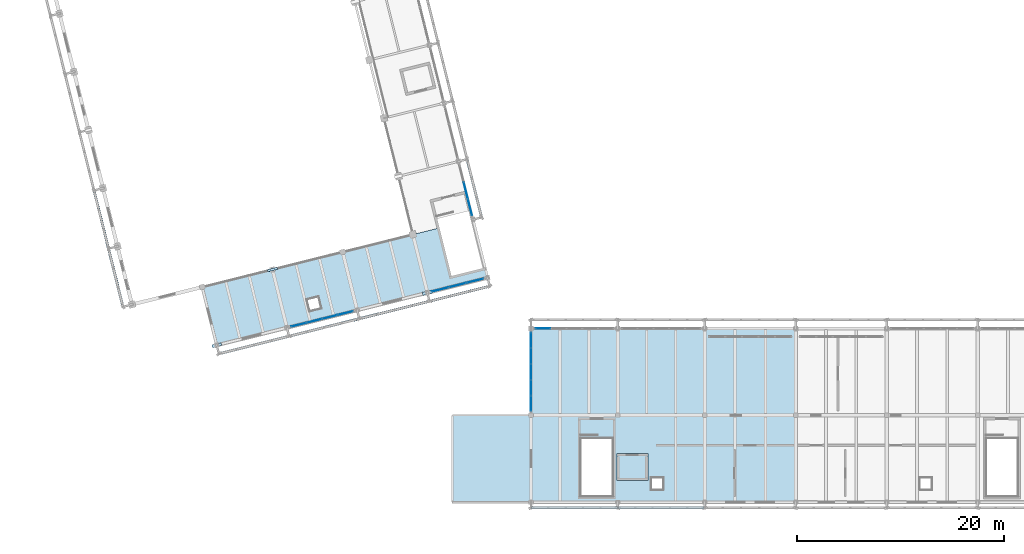
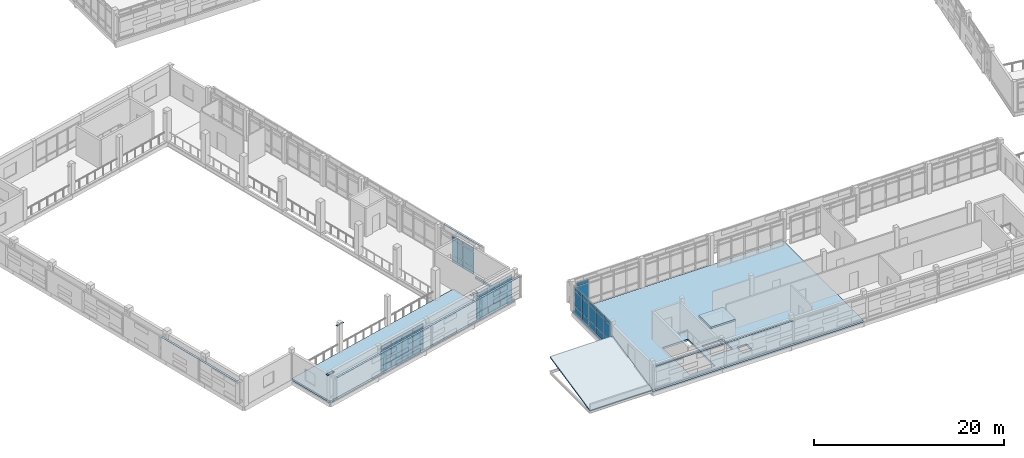
# One storey, part 82 of 117: 57 plates, 4 slabs, 5 elements without a shape of their own.
"""IFC4 building model written with IfcOpenShell, lengths in metres."""

from ifc_helpers import new_model, si_unit, direction, frame, origin, origin_2d, place, context, subcontext, project, spatial, polyline, rectangle, outline, extrude, material, layer, layer_set, type_object, element, aggregate, save


model = new_model("IFC4")

# Units and contexts
model_context = context("Model", 3, precision=1e-05, world=origin(), true_north=direction((0.0, 1.0)))
body_context = subcontext(model_context, "Body", "Model", "MODEL_VIEW")
ifc_project = project(units=[si_unit("LENGTHUNIT", "METRE"), si_unit("AREAUNIT", "SQUARE_METRE"), si_unit("VOLUMEUNIT", "CUBIC_METRE"), si_unit("PLANEANGLEUNIT", "RADIAN"), si_unit("MASSUNIT", "GRAM", prefix="KILO")], contexts=[model_context])

# Site, building, storey
site_placement = place(None, origin())
site = spatial("IfcSite", under=ifc_project, at=site_placement, CompositionType="ELEMENT")
building_placement = place(site_placement, origin())
building = spatial("IfcBuilding", under=site, at=building_placement, Name="Cinderway Yard Community Centre", CompositionType="ELEMENT")
storey_placement = place(building_placement, frame((0.0, 0.0, 9.0)))
storey = spatial("IfcBuildingStorey", under=building, at=storey_placement, Name="L02", CompositionType="ELEMENT", Elevation=9.0)

# Curtain wall, plates
ifc_material_1 = material(Name="Aluminium 6063-T6", Category="aluminium")
curtain_wall_type_1 = type_object("IfcCurtainWallType", Name="ENV-CW-TYPE-29", PredefinedType="USERDEFINED", material=ifc_material_1)
curtain_wall_1_placement = place(storey_placement, origin())
curtain_wall_1 = element("IfcCurtainWall", 1, at=curtain_wall_1_placement, inside=storey, type_object=curtain_wall_type_1, Name="Dining Courtyard Curtain Wall ENV-CW-L02-ST-0101", ObjectType="GLAZED CURTAIN WALL", PredefinedType="USERDEFINED")
ifc_material_2 = material(Name="Laminated Low-E Glass", Category="glass")
ifc_layer_1 = layer(ifc_material_2, 0.028076171875, Name="Laminated Low-E Glass")
ifc_layer_set_1 = layer_set([ifc_layer_1], Name="Laminated Low-E Glass")
plate_type_1 = type_object("IfcPlateType", Name="ENV-CW-PAN-IGU28", PredefinedType="CURTAIN_PANEL", material=ifc_layer_set_1)
plate_1_placement = place(storey_placement, frame((59.55908203125, 22.800048828125, 0.06005859375), z_axis=(0.0, 0.0, 1.0), x_axis=(1.0, 0.0, 0.0)))
plate_1 = element("IfcPlate", 2, at=plate_1_placement, type_object=plate_type_1, Name="CW-29 panel 1.1", PredefinedType="CURTAIN_PANEL", context=body_context, shape_type="SweptSolid", body=[
    extrude(rectangle(XDim=1.43798828125, YDim=0.028076171875, at=origin_2d()), origin(), (0.0, 0.0, 1.0), 0.81005859375),
])
plate_2_placement = place(storey_placement, frame((59.55908203125, 22.800048828125, 0.929931640625), z_axis=(0.0, 0.0, 1.0), x_axis=(1.0, 0.0, 0.0)))
plate_2 = element("IfcPlate", 3, at=plate_2_placement, type_object=plate_type_1, Name="CW-29 panel 1.2", PredefinedType="CURTAIN_PANEL", context=body_context, shape_type="SweptSolid", body=[
    extrude(rectangle(XDim=1.43798828125, YDim=0.028076171875, at=origin_2d()), origin(), (0.0, 0.0, 1.0), 1.93994140625),
])
plate_3_placement = place(storey_placement, frame((59.55908203125, 22.800048828125, 2.929931640625), z_axis=(0.0, 0.0, 1.0), x_axis=(1.0, 0.0, 0.0)))
plate_3 = element("IfcPlate", 4, at=plate_3_placement, type_object=plate_type_1, Name="CW-29 panel 1.3", PredefinedType="CURTAIN_PANEL", context=body_context, shape_type="SweptSolid", body=[
    extrude(rectangle(XDim=1.43798828125, YDim=0.028076171875, at=origin_2d()), origin(), (0.0, 0.0, 1.0), 0.4599609375),
])
aggregate(curtain_wall_1, [plate_1, plate_2, plate_3])

curtain_wall_type_2 = type_object("IfcCurtainWallType", Name="ENV-CW-TYPE-31", PredefinedType="USERDEFINED", material=ifc_material_1)
curtain_wall_2_placement = place(storey_placement, origin())
curtain_wall_2 = element("IfcCurtainWall", 5, at=curtain_wall_2_placement, inside=storey, type_object=curtain_wall_type_2, Name="V3 West Curtain Wall ENV-CW-L02-ST-0107", ObjectType="GLAZED CURTAIN WALL", PredefinedType="USERDEFINED")
plate_4_placement = place(storey_placement, frame((58.39990234375, 15.54296875, 0.06005859375), z_axis=(0.0, 0.0, 1.0), x_axis=(0.0, 1.0, 0.0)))
plate_4 = element("IfcPlate", 6, at=plate_4_placement, type_object=plate_type_1, Name="CW-31 panel 1.1", PredefinedType="CURTAIN_PANEL", context=body_context, shape_type="SweptSolid", body=[
    extrude(rectangle(XDim=1.446044921875, YDim=0.028076171875, at=origin_2d()), origin(), (0.0, 0.0, 1.0), 0.81005859375),
])
plate_5_placement = place(storey_placement, frame((58.39990234375, 15.54296875, 0.929931640625), z_axis=(0.0, 0.0, 1.0), x_axis=(0.0, 1.0, 0.0)))
plate_5 = element("IfcPlate", 7, at=plate_5_placement, type_object=plate_type_1, Name="CW-31 panel 1.2", PredefinedType="CURTAIN_PANEL", context=body_context, shape_type="SweptSolid", body=[
    extrude(rectangle(XDim=1.446044921875, YDim=0.028076171875, at=origin_2d()), origin(), (0.0, 0.0, 1.0), 1.93994140625),
])
plate_6_placement = place(storey_placement, frame((58.39990234375, 15.54296875, 2.929931640625), z_axis=(0.0, 0.0, 1.0), x_axis=(0.0, 1.0, 0.0)))
plate_6 = element("IfcPlate", 8, at=plate_6_placement, type_object=plate_type_1, Name="CW-31 panel 1.3", PredefinedType="CURTAIN_PANEL", context=body_context, shape_type="SweptSolid", body=[
    extrude(rectangle(XDim=1.446044921875, YDim=0.028076171875, at=origin_2d()), origin(), (0.0, 0.0, 1.0), 0.4599609375),
])
plate_7_placement = place(storey_placement, frame((58.39990234375, 17.06396484375, 0.06005859375), z_axis=(0.0, 0.0, 1.0), x_axis=(0.0, 1.0, 0.0)))
plate_7 = element("IfcPlate", 9, at=plate_7_placement, type_object=plate_type_1, Name="CW-31 panel 2.1", PredefinedType="CURTAIN_PANEL", context=body_context, shape_type="SweptSolid", body=[
    extrude(rectangle(XDim=1.47607421875, YDim=0.028076171875, at=origin_2d()), origin(), (0.0, 0.0, 1.0), 0.81005859375),
])
plate_8_placement = place(storey_placement, frame((58.39990234375, 17.06396484375, 0.929931640625), z_axis=(0.0, 0.0, 1.0), x_axis=(0.0, 1.0, 0.0)))
plate_8 = element("IfcPlate", 10, at=plate_8_placement, type_object=plate_type_1, Name="CW-31 panel 2.2", PredefinedType="CURTAIN_PANEL", context=body_context, shape_type="SweptSolid", body=[
    extrude(rectangle(XDim=1.47607421875, YDim=0.028076171875, at=origin_2d()), origin(), (0.0, 0.0, 1.0), 1.93994140625),
])
plate_9_placement = place(storey_placement, frame((58.39990234375, 17.06396484375, 2.929931640625), z_axis=(0.0, 0.0, 1.0), x_axis=(0.0, 1.0, 0.0)))
plate_9 = element("IfcPlate", 11, at=plate_9_placement, type_object=plate_type_1, Name="CW-31 panel 2.3", PredefinedType="CURTAIN_PANEL", context=body_context, shape_type="SweptSolid", body=[
    extrude(rectangle(XDim=1.47607421875, YDim=0.028076171875, at=origin_2d()), origin(), (0.0, 0.0, 1.0), 0.4599609375),
])
plate_10_placement = place(storey_placement, frame((58.39990234375, 18.60009765625, 0.06005859375), z_axis=(0.0, 0.0, 1.0), x_axis=(0.0, 1.0, 0.0)))
plate_10 = element("IfcPlate", 12, at=plate_10_placement, type_object=plate_type_1, Name="CW-31 panel 3.1", PredefinedType="CURTAIN_PANEL", context=body_context, shape_type="SweptSolid", body=[
    extrude(rectangle(XDim=1.47607421875, YDim=0.028076171875, at=origin_2d()), origin(), (0.0, 0.0, 1.0), 0.81005859375),
])
plate_11_placement = place(storey_placement, frame((58.39990234375, 18.60009765625, 0.929931640625), z_axis=(0.0, 0.0, 1.0), x_axis=(0.0, 1.0, 0.0)))
plate_11 = element("IfcPlate", 13, at=plate_11_placement, type_object=plate_type_1, Name="CW-31 panel 3.2", PredefinedType="CURTAIN_PANEL", context=body_context, shape_type="SweptSolid", body=[
    extrude(rectangle(XDim=1.47607421875, YDim=0.028076171875, at=origin_2d()), origin(), (0.0, 0.0, 1.0), 1.93994140625),
])
plate_12_placement = place(storey_placement, frame((58.39990234375, 18.60009765625, 2.929931640625), z_axis=(0.0, 0.0, 1.0), x_axis=(0.0, 1.0, 0.0)))
plate_12 = element("IfcPlate", 14, at=plate_12_placement, type_object=plate_type_1, Name="CW-31 panel 3.3", PredefinedType="CURTAIN_PANEL", context=body_context, shape_type="SweptSolid", body=[
    extrude(rectangle(XDim=1.47607421875, YDim=0.028076171875, at=origin_2d()), origin(), (0.0, 0.0, 1.0), 0.4599609375),
])
plate_13_placement = place(storey_placement, frame((58.39990234375, 20.135986328125, 0.06005859375), z_axis=(0.0, 0.0, 1.0), x_axis=(0.0, 1.0, 0.0)))
plate_13 = element("IfcPlate", 15, at=plate_13_placement, type_object=plate_type_1, Name="CW-31 panel 4.1", PredefinedType="CURTAIN_PANEL", context=body_context, shape_type="SweptSolid", body=[
    extrude(rectangle(XDim=1.47607421875, YDim=0.028076171875, at=origin_2d()), origin(), (0.0, 0.0, 1.0), 0.81005859375),
])
plate_14_placement = place(storey_placement, frame((58.39990234375, 20.135986328125, 0.929931640625), z_axis=(0.0, 0.0, 1.0), x_axis=(0.0, 1.0, 0.0)))
plate_14 = element("IfcPlate", 16, at=plate_14_placement, type_object=plate_type_1, Name="CW-31 panel 4.2", PredefinedType="CURTAIN_PANEL", context=body_context, shape_type="SweptSolid", body=[
    extrude(rectangle(XDim=1.47607421875, YDim=0.028076171875, at=origin_2d()), origin(), (0.0, 0.0, 1.0), 1.93994140625),
])
plate_15_placement = place(storey_placement, frame((58.39990234375, 20.135986328125, 2.929931640625), z_axis=(0.0, 0.0, 1.0), x_axis=(0.0, 1.0, 0.0)))
plate_15 = element("IfcPlate", 17, at=plate_15_placement, type_object=plate_type_1, Name="CW-31 panel 4.3", PredefinedType="CURTAIN_PANEL", context=body_context, shape_type="SweptSolid", body=[
    extrude(rectangle(XDim=1.47607421875, YDim=0.028076171875, at=origin_2d()), origin(), (0.0, 0.0, 1.0), 0.4599609375),
])
plate_16_placement = place(storey_placement, frame((58.39990234375, 21.656982421875, 0.06005859375), z_axis=(0.0, 0.0, 1.0), x_axis=(0.0, 1.0, 0.0)))
plate_16 = element("IfcPlate", 18, at=plate_16_placement, type_object=plate_type_1, Name="CW-31 panel 5.1", PredefinedType="CURTAIN_PANEL", context=body_context, shape_type="SweptSolid", body=[
    extrude(rectangle(XDim=1.446044921875, YDim=0.028076171875, at=origin_2d()), origin(), (0.0, 0.0, 1.0), 0.81005859375),
])
plate_17_placement = place(storey_placement, frame((58.39990234375, 21.656982421875, 0.929931640625), z_axis=(0.0, 0.0, 1.0), x_axis=(0.0, 1.0, 0.0)))
plate_17 = element("IfcPlate", 19, at=plate_17_placement, type_object=plate_type_1, Name="CW-31 panel 5.2", PredefinedType="CURTAIN_PANEL", context=body_context, shape_type="SweptSolid", body=[
    extrude(rectangle(XDim=1.446044921875, YDim=0.028076171875, at=origin_2d()), origin(), (0.0, 0.0, 1.0), 1.93994140625),
])
plate_18_placement = place(storey_placement, frame((58.39990234375, 21.656982421875, 2.929931640625), z_axis=(0.0, 0.0, 1.0), x_axis=(0.0, 1.0, 0.0)))
plate_18 = element("IfcPlate", 20, at=plate_18_placement, type_object=plate_type_1, Name="CW-31 panel 5.3", PredefinedType="CURTAIN_PANEL", context=body_context, shape_type="SweptSolid", body=[
    extrude(rectangle(XDim=1.446044921875, YDim=0.028076171875, at=origin_2d()), origin(), (0.0, 0.0, 1.0), 0.4599609375),
])
aggregate(curtain_wall_2, [plate_4, plate_5, plate_6, plate_7, plate_8, plate_9, plate_10, plate_11, plate_12, plate_13, plate_14, plate_15, plate_16, plate_17, plate_18])

curtain_wall_type_3 = type_object("IfcCurtainWallType", Name="ENV-CW-TYPE-07", PredefinedType="USERDEFINED", material=ifc_material_1)
curtain_wall_3_placement = place(storey_placement, origin())
curtain_wall_3 = element("IfcCurtainWall", 21, at=curtain_wall_3_placement, inside=storey, type_object=curtain_wall_type_3, Name="Main Hall Courtyard Curtain Wall ENV-CW-L02-HS-0020", ObjectType="GLAZED CURTAIN WALL", PredefinedType="USERDEFINED")
ifc_layer_2 = layer(ifc_material_2, 0.031982421875, Name="Laminated Low-E Glass")
ifc_layer_set_2 = layer_set([ifc_layer_2], Name="Laminated Low-E Glass")
plate_type_2 = type_object("IfcPlateType", Name="ENV-CW-PAN-IGU32", PredefinedType="CURTAIN_PANEL", material=ifc_layer_set_2)
plate_19_placement = place(storey_placement, frame((52.50341796875, 34.527099609375, 0.06005859375), z_axis=(0.0, 0.0, 1.0), x_axis=(-0.241887234827, 0.97030436752, 0.0)))
plate_19 = element("IfcPlate", 22, at=plate_19_placement, type_object=plate_type_2, Name="CW-07 panel 1.1", PredefinedType="CURTAIN_PANEL", context=body_context, shape_type="SweptSolid", body=[
    extrude(rectangle(XDim=1.603515625, YDim=0.028076171875, at=origin_2d()), origin(), (0.0, 0.0, 1.0), 0.81005859375),
])
plate_20_placement = place(storey_placement, frame((52.50341796875, 34.527099609375, 0.929931640625), z_axis=(0.0, 0.0, 1.0), x_axis=(-0.241887234827, 0.97030436752, 0.0)))
plate_20 = element("IfcPlate", 23, at=plate_20_placement, type_object=plate_type_2, Name="CW-07 panel 1.2", PredefinedType="CURTAIN_PANEL", context=body_context, shape_type="SweptSolid", body=[
    extrude(rectangle(XDim=1.603515625, YDim=0.028076171875, at=origin_2d()), origin(), (0.0, 0.0, 1.0), 1.93994140625),
])
plate_21_placement = place(storey_placement, frame((52.50341796875, 34.527099609375, 2.929931640625), z_axis=(0.0, 0.0, 1.0), x_axis=(-0.241887234827, 0.97030436752, 0.0)))
plate_21 = element("IfcPlate", 24, at=plate_21_placement, type_object=plate_type_2, Name="CW-07 panel 1.3", PredefinedType="CURTAIN_PANEL", context=body_context, shape_type="SweptSolid", body=[
    extrude(rectangle(XDim=1.603515625, YDim=0.028076171875, at=origin_2d()), origin(), (0.0, 0.0, 1.0), 0.4599609375),
])
plate_22_placement = place(storey_placement, frame((52.097412109375, 36.156005859375, 0.06005859375), z_axis=(0.0, 0.0, 1.0), x_axis=(-0.241887234827, 0.97030436752, 0.0)))
plate_22 = element("IfcPlate", 25, at=plate_22_placement, type_object=plate_type_2, Name="CW-07 panel 2.1", PredefinedType="CURTAIN_PANEL", context=body_context, shape_type="SweptSolid", body=[
    extrude(rectangle(XDim=1.633544921875, YDim=0.028076171875, at=origin_2d()), origin(), (0.0, 0.0, 1.0), 0.81005859375),
])
plate_23_placement = place(storey_placement, frame((52.097412109375, 36.156005859375, 0.929931640625), z_axis=(0.0, 0.0, 1.0), x_axis=(-0.241887234827, 0.97030436752, 0.0)))
plate_23 = element("IfcPlate", 26, at=plate_23_placement, type_object=plate_type_2, Name="CW-07 panel 2.2", PredefinedType="CURTAIN_PANEL", context=body_context, shape_type="SweptSolid", body=[
    extrude(rectangle(XDim=1.633544921875, YDim=0.028076171875, at=origin_2d()), origin(), (0.0, 0.0, 1.0), 1.93994140625),
])
plate_24_placement = place(storey_placement, frame((52.097412109375, 36.156005859375, 2.929931640625), z_axis=(0.0, 0.0, 1.0), x_axis=(-0.241887234827, 0.97030436752, 0.0)))
plate_24 = element("IfcPlate", 27, at=plate_24_placement, type_object=plate_type_2, Name="CW-07 panel 2.3", PredefinedType="CURTAIN_PANEL", context=body_context, shape_type="SweptSolid", body=[
    extrude(rectangle(XDim=1.633544921875, YDim=0.028076171875, at=origin_2d()), origin(), (0.0, 0.0, 1.0), 0.4599609375),
])
aggregate(curtain_wall_3, [plate_19, plate_20, plate_21, plate_22, plate_23, plate_24])

curtain_wall_type_4 = type_object("IfcCurtainWallType", Name="ENV-CW-TYPE-08", PredefinedType="USERDEFINED", material=ifc_material_1)
curtain_wall_4_placement = place(storey_placement, origin())
curtain_wall_4 = element("IfcCurtainWall", 28, at=curtain_wall_4_placement, inside=storey, type_object=curtain_wall_type_4, Name="Sanctuary South Curtain Wall ENV-CW-L02-HS-0027", ObjectType="GLAZED CURTAIN WALL", PredefinedType="USERDEFINED")
plate_25_placement = place(storey_placement, frame((35.937255859375, 23.16015625, 0.06005859375), z_axis=(0.0, 0.0, 1.0), x_axis=(0.970311966845, 0.241856748919, 0.0)))
plate_25 = element("IfcPlate", 29, at=plate_25_placement, type_object=plate_type_2, Name="CW-08 panel 1.1", PredefinedType="CURTAIN_PANEL", context=body_context, shape_type="SweptSolid", body=[
    extrude(rectangle(XDim=1.4697265625, YDim=0.028076171875, at=origin_2d()), origin(), (0.0, 0.0, 1.0), 0.81005859375),
])
plate_26_placement = place(storey_placement, frame((35.937255859375, 23.16015625, 0.929931640625), z_axis=(0.0, 0.0, 1.0), x_axis=(0.970311966845, 0.241856748919, 0.0)))
plate_26 = element("IfcPlate", 30, at=plate_26_placement, type_object=plate_type_2, Name="CW-08 panel 1.2", PredefinedType="CURTAIN_PANEL", context=body_context, shape_type="SweptSolid", body=[
    extrude(rectangle(XDim=1.4697265625, YDim=0.028076171875, at=origin_2d()), origin(), (0.0, 0.0, 1.0), 1.93994140625),
])
plate_27_placement = place(storey_placement, frame((35.937255859375, 23.16015625, 2.929931640625), z_axis=(0.0, 0.0, 1.0), x_axis=(0.970311966845, 0.241856748919, 0.0)))
plate_27 = element("IfcPlate", 31, at=plate_27_placement, type_object=plate_type_2, Name="CW-08 panel 1.3", PredefinedType="CURTAIN_PANEL", context=body_context, shape_type="SweptSolid", body=[
    extrude(rectangle(XDim=1.4697265625, YDim=0.028076171875, at=origin_2d()), origin(), (0.0, 0.0, 1.0), 0.4599609375),
])
plate_28_placement = place(storey_placement, frame((37.436279296875, 23.533935546875, 0.06005859375), z_axis=(0.0, 0.0, 1.0), x_axis=(0.970311966845, 0.241856748919, 0.0)))
plate_28 = element("IfcPlate", 32, at=plate_28_placement, type_object=plate_type_2, Name="CW-08 panel 2.1", PredefinedType="CURTAIN_PANEL", context=body_context, shape_type="SweptSolid", body=[
    extrude(rectangle(XDim=1.499755859375, YDim=0.028076171875, at=origin_2d()), origin(), (0.0, 0.0, 1.0), 0.81005859375),
])
plate_29_placement = place(storey_placement, frame((37.436279296875, 23.533935546875, 0.929931640625), z_axis=(0.0, 0.0, 1.0), x_axis=(0.970311966845, 0.241856748919, 0.0)))
plate_29 = element("IfcPlate", 33, at=plate_29_placement, type_object=plate_type_2, Name="CW-08 panel 2.2", PredefinedType="CURTAIN_PANEL", context=body_context, shape_type="SweptSolid", body=[
    extrude(rectangle(XDim=1.499755859375, YDim=0.028076171875, at=origin_2d()), origin(), (0.0, 0.0, 1.0), 1.93994140625),
])
plate_30_placement = place(storey_placement, frame((37.436279296875, 23.533935546875, 2.929931640625), z_axis=(0.0, 0.0, 1.0), x_axis=(0.970311966845, 0.241856748919, 0.0)))
plate_30 = element("IfcPlate", 34, at=plate_30_placement, type_object=plate_type_2, Name="CW-08 panel 2.3", PredefinedType="CURTAIN_PANEL", context=body_context, shape_type="SweptSolid", body=[
    extrude(rectangle(XDim=1.499755859375, YDim=0.028076171875, at=origin_2d()), origin(), (0.0, 0.0, 1.0), 0.4599609375),
])
plate_31_placement = place(storey_placement, frame((38.94970703125, 23.9111328125, 0.06005859375), z_axis=(0.0, 0.0, 1.0), x_axis=(0.970311966845, 0.241856748919, 0.0)))
plate_31 = element("IfcPlate", 35, at=plate_31_placement, type_object=plate_type_2, Name="CW-08 panel 3.1", PredefinedType="CURTAIN_PANEL", context=body_context, shape_type="SweptSolid", body=[
    extrude(rectangle(XDim=1.499755859375, YDim=0.028076171875, at=origin_2d()), origin(), (0.0, 0.0, 1.0), 0.81005859375),
])
plate_32_placement = place(storey_placement, frame((38.94970703125, 23.9111328125, 0.929931640625), z_axis=(0.0, 0.0, 1.0), x_axis=(0.970311966845, 0.241856748919, 0.0)))
plate_32 = element("IfcPlate", 36, at=plate_32_placement, type_object=plate_type_2, Name="CW-08 panel 3.2", PredefinedType="CURTAIN_PANEL", context=body_context, shape_type="SweptSolid", body=[
    extrude(rectangle(XDim=1.499755859375, YDim=0.028076171875, at=origin_2d()), origin(), (0.0, 0.0, 1.0), 1.93994140625),
])
plate_33_placement = place(storey_placement, frame((38.94970703125, 23.9111328125, 2.929931640625), z_axis=(0.0, 0.0, 1.0), x_axis=(0.970311966845, 0.241856748919, 0.0)))
plate_33 = element("IfcPlate", 37, at=plate_33_placement, type_object=plate_type_2, Name="CW-08 panel 3.3", PredefinedType="CURTAIN_PANEL", context=body_context, shape_type="SweptSolid", body=[
    extrude(rectangle(XDim=1.499755859375, YDim=0.028076171875, at=origin_2d()), origin(), (0.0, 0.0, 1.0), 0.4599609375),
])
plate_34_placement = place(storey_placement, frame((40.44873046875, 24.28466796875, 0.06005859375), z_axis=(0.0, 0.0, 1.0), x_axis=(0.970311966845, 0.241856748919, 0.0)))
plate_34 = element("IfcPlate", 38, at=plate_34_placement, type_object=plate_type_2, Name="CW-08 panel 4.1", PredefinedType="CURTAIN_PANEL", context=body_context, shape_type="SweptSolid", body=[
    extrude(rectangle(XDim=1.4697265625, YDim=0.028076171875, at=origin_2d()), origin(), (0.0, 0.0, 1.0), 0.81005859375),
])
plate_35_placement = place(storey_placement, frame((40.44873046875, 24.28466796875, 0.929931640625), z_axis=(0.0, 0.0, 1.0), x_axis=(0.970311966845, 0.241856748919, 0.0)))
plate_35 = element("IfcPlate", 39, at=plate_35_placement, type_object=plate_type_2, Name="CW-08 panel 4.2", PredefinedType="CURTAIN_PANEL", context=body_context, shape_type="SweptSolid", body=[
    extrude(rectangle(XDim=1.4697265625, YDim=0.028076171875, at=origin_2d()), origin(), (0.0, 0.0, 1.0), 1.93994140625),
])
plate_36_placement = place(storey_placement, frame((40.44873046875, 24.28466796875, 2.929931640625), z_axis=(0.0, 0.0, 1.0), x_axis=(0.970311966845, 0.241856748919, 0.0)))
plate_36 = element("IfcPlate", 40, at=plate_36_placement, type_object=plate_type_2, Name="CW-08 panel 4.3", PredefinedType="CURTAIN_PANEL", context=body_context, shape_type="SweptSolid", body=[
    extrude(rectangle(XDim=1.4697265625, YDim=0.028076171875, at=origin_2d()), origin(), (0.0, 0.0, 1.0), 0.4599609375),
])
aggregate(curtain_wall_4, [plate_25, plate_26, plate_27, plate_28, plate_29, plate_30, plate_31, plate_32, plate_33, plate_34, plate_35, plate_36])

curtain_wall_type_5 = type_object("IfcCurtainWallType", Name="ENV-CW-TYPE-09", PredefinedType="USERDEFINED", material=ifc_material_1)
curtain_wall_5_placement = place(storey_placement, origin())
curtain_wall_5 = element("IfcCurtainWall", 41, at=curtain_wall_5_placement, inside=storey, type_object=curtain_wall_type_5, Name="Sanctuary South Curtain Wall ENV-CW-L02-HS-0028", ObjectType="GLAZED CURTAIN WALL", PredefinedType="USERDEFINED")
plate_37_placement = place(storey_placement, frame((49.61181640625, 26.56982421875, 0.06005859375), z_axis=(0.0, 0.0, 1.0), x_axis=(0.970321865084, 0.241817034428, 0.0)))
plate_37 = element("IfcPlate", 42, at=plate_37_placement, type_object=plate_type_2, Name="CW-09 panel 1.1", PredefinedType="CURTAIN_PANEL", context=body_context, shape_type="SweptSolid", body=[
    extrude(rectangle(XDim=1.656494140625, YDim=0.028076171875, at=origin_2d()), origin(), (0.0, 0.0, 1.0), 0.81005859375),
])
plate_38_placement = place(storey_placement, frame((49.61181640625, 26.56982421875, 0.929931640625), z_axis=(0.0, 0.0, 1.0), x_axis=(0.970321865084, 0.241817034428, 0.0)))
plate_38 = element("IfcPlate", 43, at=plate_38_placement, type_object=plate_type_2, Name="CW-09 panel 1.2", PredefinedType="CURTAIN_PANEL", context=body_context, shape_type="SweptSolid", body=[
    extrude(rectangle(XDim=1.656494140625, YDim=0.028076171875, at=origin_2d()), origin(), (0.0, 0.0, 1.0), 1.93994140625),
])
plate_39_placement = place(storey_placement, frame((49.61181640625, 26.56982421875, 2.929931640625), z_axis=(0.0, 0.0, 1.0), x_axis=(0.970321865084, 0.241817034428, 0.0)))
plate_39 = element("IfcPlate", 44, at=plate_39_placement, type_object=plate_type_2, Name="CW-09 panel 1.3", PredefinedType="CURTAIN_PANEL", context=body_context, shape_type="SweptSolid", body=[
    extrude(rectangle(XDim=1.656494140625, YDim=0.028076171875, at=origin_2d()), origin(), (0.0, 0.0, 1.0), 0.4599609375),
])
plate_40_placement = place(storey_placement, frame((51.2919921875, 26.988525390625, 0.06005859375), z_axis=(0.0, 0.0, 1.0), x_axis=(0.970321865084, 0.241817034428, 0.0)))
plate_40 = element("IfcPlate", 45, at=plate_40_placement, type_object=plate_type_2, Name="CW-09 panel 2.1", PredefinedType="CURTAIN_PANEL", context=body_context, shape_type="SweptSolid", body=[
    extrude(rectangle(XDim=1.6865234375, YDim=0.028076171875, at=origin_2d()), origin(), (0.0, 0.0, 1.0), 0.81005859375),
])
plate_41_placement = place(storey_placement, frame((51.2919921875, 26.988525390625, 0.929931640625), z_axis=(0.0, 0.0, 1.0), x_axis=(0.970321865084, 0.241817034428, 0.0)))
plate_41 = element("IfcPlate", 46, at=plate_41_placement, type_object=plate_type_2, Name="CW-09 panel 2.2", PredefinedType="CURTAIN_PANEL", context=body_context, shape_type="SweptSolid", body=[
    extrude(rectangle(XDim=1.6865234375, YDim=0.028076171875, at=origin_2d()), origin(), (0.0, 0.0, 1.0), 1.93994140625),
])
plate_42_placement = place(storey_placement, frame((51.2919921875, 26.988525390625, 2.929931640625), z_axis=(0.0, 0.0, 1.0), x_axis=(0.970321865084, 0.241817034428, 0.0)))
plate_42 = element("IfcPlate", 47, at=plate_42_placement, type_object=plate_type_2, Name="CW-09 panel 2.3", PredefinedType="CURTAIN_PANEL", context=body_context, shape_type="SweptSolid", body=[
    extrude(rectangle(XDim=1.6865234375, YDim=0.028076171875, at=origin_2d()), origin(), (0.0, 0.0, 1.0), 0.4599609375),
])
plate_43_placement = place(storey_placement, frame((52.97216796875, 27.4072265625, 0.06005859375), z_axis=(0.0, 0.0, 1.0), x_axis=(0.970321865084, 0.241817034428, 0.0)))
plate_43 = element("IfcPlate", 48, at=plate_43_placement, type_object=plate_type_2, Name="CW-09 panel 3.1", PredefinedType="CURTAIN_PANEL", context=body_context, shape_type="SweptSolid", body=[
    extrude(rectangle(XDim=1.656494140625, YDim=0.028076171875, at=origin_2d()), origin(), (0.0, 0.0, 1.0), 0.81005859375),
])
plate_44_placement = place(storey_placement, frame((52.97216796875, 27.4072265625, 0.929931640625), z_axis=(0.0, 0.0, 1.0), x_axis=(0.970321865084, 0.241817034428, 0.0)))
plate_44 = element("IfcPlate", 49, at=plate_44_placement, type_object=plate_type_2, Name="CW-09 panel 3.2", PredefinedType="CURTAIN_PANEL", context=body_context, shape_type="SweptSolid", body=[
    extrude(rectangle(XDim=1.656494140625, YDim=0.028076171875, at=origin_2d()), origin(), (0.0, 0.0, 1.0), 1.93994140625),
])
plate_45_placement = place(storey_placement, frame((52.97216796875, 27.4072265625, 2.929931640625), z_axis=(0.0, 0.0, 1.0), x_axis=(0.970321865084, 0.241817034428, 0.0)))
plate_45 = element("IfcPlate", 50, at=plate_45_placement, type_object=plate_type_2, Name="CW-09 panel 3.3", PredefinedType="CURTAIN_PANEL", context=body_context, shape_type="SweptSolid", body=[
    extrude(rectangle(XDim=1.656494140625, YDim=0.028076171875, at=origin_2d()), origin(), (0.0, 0.0, 1.0), 0.4599609375),
])
aggregate(curtain_wall_5, [plate_37, plate_38, plate_39, plate_40, plate_41, plate_42, plate_43, plate_44, plate_45])

# Plates
ifc_layer_3 = layer(ifc_material_1, 0.01611328125, Name="Aluminium 6063-T6")
ifc_layer_set_3 = layer_set([ifc_layer_3], Name="Aluminium 6063-T6")
plate_type_3 = type_object("IfcPlateType", Name="ENV-PLT-FASCIA16", PredefinedType="USERDEFINED", material=ifc_layer_set_3)
for number, where, z_axis, x_axis, name in (
    (51, (62.60009765625, 5.449951171875, 3.411865234375), (0.0, 0.0, 1.0), (-1.0, 0.0, 0.0), "Screen coping fascia 0080"),
    (52, (71.0, 5.449951171875, 3.411865234375), (0.0, 0.0, 1.0), (-1.0, 0.0, 0.0), "Screen coping fascia 0081"),
):
    element("IfcPlate", number, at=place(storey_placement, frame(where, z_axis=z_axis, x_axis=x_axis)), inside=storey, type_object=plate_type_3, Name=name, ObjectType="FASCIA PLATE", PredefinedType="USERDEFINED", context=body_context, shape_type="SweptSolid", body=[
        extrude(rectangle(XDim=8.300048828125, YDim=0.260009765625, at=origin_2d()), origin(), (0.0, 0.0, 1.0), 0.01611328125),
    ])
plate_46_placement = place(storey_placement, frame((18.235107421875, 27.712890625, 3.411865234375), z_axis=(0.0, 0.0, 1.0), x_axis=(-0.2419218956, 0.970295726276, 0.0)))
element("IfcPlate", 53, at=plate_46_placement, inside=storey, type_object=plate_type_3, Name="Screen coping fascia 0110", ObjectType="FASCIA PLATE", PredefinedType="USERDEFINED", context=body_context, shape_type="SweptSolid", body=[
    extrude(rectangle(XDim=5.699951171875, YDim=0.260009765625, at=origin_2d()), origin(), (0.0, 0.0, 1.0), 0.01611328125),
])
plate_47_placement = place(storey_placement, frame((16.8310546875, 33.341064453125, 3.411865234375), z_axis=(0.0, 0.0, 1.0), x_axis=(-0.2419218956, 0.970295726276, 0.0)))
element("IfcPlate", 54, at=plate_47_placement, inside=storey, type_object=plate_type_3, Name="Screen coping fascia 0111", ObjectType="FASCIA PLATE", PredefinedType="USERDEFINED", context=body_context, shape_type="SweptSolid", body=[
    extrude(rectangle(XDim=5.698974609375, YDim=0.260009765625, at=origin_2d()), origin(), (0.0, 0.0, 1.0), 0.01611328125),
])
plate_48_placement = place(storey_placement, frame((52.922119140625, 36.362060546875, 3.411865234375), z_axis=(0.0, 0.0, 1.0), x_axis=(0.2419218956, -0.970295726276, 0.0)))
element("IfcPlate", 55, at=plate_48_placement, inside=storey, type_object=plate_type_3, Name="Screen coping fascia 0117", ObjectType="FASCIA PLATE", PredefinedType="USERDEFINED", context=body_context, shape_type="SweptSolid", body=[
    extrude(rectangle(XDim=5.699951171875, YDim=0.260009765625, at=origin_2d()), origin(), (0.0, 0.0, 1.0), 0.01611328125),
])
for number, where, z_axis, x_axis, name in (
    (56, (31.60693359375, 21.2041015625, 3.411865234375), (0.0, 0.0, 1.0), (-0.970295726276, -0.2419218956, 0.0), "Screen coping fascia 0124"),
    (57, (38.39892578125, 22.89794921875, 3.411865234375), (0.0, 0.0, 1.0), (-0.970295726276, -0.2419218956, 0.0), "Screen coping fascia 0125"),
    (58, (45.19091796875, 24.591064453125, 3.411865234375), (0.0, 0.0, 1.0), (-0.970295726276, -0.2419218956, 0.0), "Screen coping fascia 0126"),
):
    element("IfcPlate", number, at=place(storey_placement, frame(where, z_axis=z_axis, x_axis=x_axis)), inside=storey, type_object=plate_type_3, Name=name, ObjectType="FASCIA PLATE", PredefinedType="USERDEFINED", context=body_context, shape_type="SweptSolid", body=[
        extrude(rectangle(XDim=6.89990234375, YDim=0.260009765625, at=origin_2d()), origin(), (0.0, 0.0, 1.0), 0.01611328125),
    ])
plate_49_placement = place(storey_placement, frame((51.498046875, 26.1630859375, 3.411865234375), z_axis=(0.0, 0.0, 1.0), x_axis=(-0.970295726276, -0.2419218956, 0.0)))
element("IfcPlate", 59, at=plate_49_placement, inside=storey, type_object=plate_type_3, Name="Screen coping fascia 0127", ObjectType="FASCIA PLATE", PredefinedType="USERDEFINED", context=body_context, shape_type="SweptSolid", body=[
    extrude(rectangle(XDim=5.89990234375, YDim=0.260009765625, at=origin_2d()), origin(), (0.0, 0.0, 1.0), 0.01611328125),
])
ifc_material_3 = material(Name="Steel S355", Category="steel")
ifc_layer_4 = layer(ifc_material_3, 0.02001953125, Name="Steel S355")
ifc_layer_set_4 = layer_set([ifc_layer_4], Name="Steel S355")
plate_type_4 = type_object("IfcPlateType", Name="STR-PLT-STIFF-08", PredefinedType="SHEET", material=ifc_layer_set_4)
plate_50_placement = place(storey_placement, frame((28.0048828125, 21.18310546875, 3.590087890625), z_axis=(0.0, 0.0, 1.0), x_axis=(0.970295726276, 0.2419218956, 0.0)))
element("IfcPlate", 60, at=plate_50_placement, inside=storey, type_object=plate_type_4, Name="Column head stiffener plate 08", PredefinedType="SHEET", context=body_context, shape_type="SweptSolid", body=[
    extrude(rectangle(XDim=0.919921875, YDim=0.284912109375, at=origin_2d()), origin(), (0.0, 0.0, 1.0), 0.02001953125),
])
ifc_layer_5 = layer(ifc_material_3, 0.02001953125, Name="Steel S355")
ifc_layer_set_5 = layer_set([ifc_layer_5], Name="Steel S355")
plate_type_5 = type_object("IfcPlateType", Name="STR-PLT-STIFF-09", PredefinedType="SHEET", material=ifc_layer_set_5)
plate_51_placement = place(storey_placement, frame((48.381103515625, 26.262939453125, 3.590087890625), z_axis=(0.0, 0.0, 1.0), x_axis=(0.970295726276, 0.2419218956, 0.0)))
element("IfcPlate", 61, at=plate_51_placement, inside=storey, type_object=plate_type_5, Name="Column head stiffener plate 09", PredefinedType="SHEET", context=body_context, shape_type="SweptSolid", body=[
    extrude(rectangle(XDim=0.949951171875, YDim=0.31005859375, at=origin_2d()), origin(), (0.0, 0.0, 1.0), 0.02001953125),
])
ifc_layer_6 = layer(ifc_material_3, 0.02001953125, Name="Steel S355")
ifc_layer_set_6 = layer_set([ifc_layer_6], Name="Steel S355")
plate_type_6 = type_object("IfcPlateType", Name="STR-PLT-STIFF-10", PredefinedType="SHEET", material=ifc_layer_set_6)
plate_52_placement = place(storey_placement, frame((33.39404296875, 28.50390625, 3.590087890625), z_axis=(0.0, 0.0, 1.0), x_axis=(0.970295726276, 0.2419218956, 0.0)))
element("IfcPlate", 62, at=plate_52_placement, inside=storey, type_object=plate_type_6, Name="Column head stiffener plate 10", PredefinedType="SHEET", context=body_context, shape_type="SweptSolid", body=[
    extrude(rectangle(XDim=0.97998046875, YDim=0.2099609375, at=origin_2d()), origin(), (0.0, 0.0, 1.0), 0.02001953125),
])

# Slabs
ifc_material_4 = material(Name="Concrete C35/45", Category="concrete")
ifc_layer_7 = layer(ifc_material_4, 0.219970703125, Name="Concrete C35/45")
ifc_layer_set_7 = layer_set([ifc_layer_7], Name="Concrete C35/45")
slab_type_1 = type_object("IfcSlabType", Name="STR-SLAB-FLR-220", PredefinedType="FLOOR", material=ifc_layer_set_7)
slab_1_placement = place(storey_placement, frame((0.0, 0.0, 3.659912109375)))
element("IfcSlab", 63, at=slab_1_placement, inside=storey, type_object=slab_type_1, Name="Lift LF-05 Shaft Overrun Cap", PredefinedType="FLOOR", context=body_context, shape_type="SweptSolid", body=[
    extrude(outline(polyline([(66.699951171875, 8.10009765625), (69.699951171875, 8.10009765625), (69.699951171875, 10.699951171875), (66.699951171875, 10.699951171875), (66.699951171875, 8.10009765625)])), origin(), (0.0, 0.0, 1.0), 0.219970703125),
])
ifc_layer_8 = layer(ifc_material_4, 0.239990234375, Name="Concrete C35/45")
ifc_layer_set_8 = layer_set([ifc_layer_8], Name="Concrete C35/45")
slab_type_2 = type_object("IfcSlabType", Name="STR-SLAB-FLR-240", PredefinedType="FLOOR", material=ifc_layer_set_8)
slab_2_placement = place(storey_placement, frame((0.0, 0.0, -0.239990234375)))
element("IfcSlab", 64, at=slab_2_placement, inside=storey, type_object=slab_type_2, Name="V1 South Foyer Gallery Slab L02 STR-SLAB-L02-021", PredefinedType="FLOOR", context=body_context, shape_type="SweptSolid", body=[
    extrude(outline(polyline([(52.799072265625, 33.342041015625), (54.202880859375, 27.714111328125), (28.0048828125, 21.18310546875), (26.60205078125, 26.81005859375), (49.530029296875, 32.527099609375), (50.695068359375, 27.85107421875), (53.761962890625, 28.614990234375), (52.595947265625, 33.291015625), (52.799072265625, 33.342041015625)]), holes=[polyline([(36.98095703125, 24.450927734375), (38.14501953125, 24.740966796875), (37.85498046875, 25.906005859375), (36.68994140625, 25.615966796875), (36.98095703125, 24.450927734375)])]), origin(), (0.0, 0.0, 1.0), 0.239990234375),
])
slab_3_placement = place(storey_placement, frame((0.0, 0.0, -0.239990234375)))
element("IfcSlab", 65, at=slab_3_placement, inside=storey, type_object=slab_type_2, Name="V3 West Youth Lounge Slab L02 STR-SLAB-L02-026", PredefinedType="FLOOR", context=body_context, shape_type="SweptSolid", body=[
    extrude(outline(polyline([(58.39990234375, 6.0), (84.0, 6.0), (84.0, 22.800048828125), (58.39990234375, 22.800048828125), (58.39990234375, 6.0)]), holes=[polyline([(63.199951171875, 12.22998046875), (63.199951171875, 6.550048828125), (66.320068359375, 6.550048828125), (66.320068359375, 12.22998046875), (63.199951171875, 12.22998046875)]), polyline([(66.949951171875, 8.35009765625), (69.449951171875, 8.35009765625), (69.449951171875, 10.449951171875), (66.949951171875, 10.449951171875), (66.949951171875, 8.35009765625)]), polyline([(70.0, 7.199951171875), (71.199951171875, 7.199951171875), (71.199951171875, 8.39990234375), (70.0, 8.39990234375), (70.0, 7.199951171875)])]), origin(), (0.0, 0.0, 1.0), 0.239990234375),
])
ifc_material_5 = material(Name="Concrete C40/50", Category="concrete")
ifc_layer_9 = layer(ifc_material_5, 0.159912109375, Name="Concrete C40/50")
ifc_layer_set_9 = layer_set([ifc_layer_9], Name="Concrete C40/50")
slab_type_3 = type_object("IfcSlabType", Name="STR-SLAB-ROOF-CN160", PredefinedType="ROOF", material=ifc_layer_set_9)
slab_4_placement = place(storey_placement, frame((50.800048828125, 6.0, 0.050048828125), z_axis=(0.0, -0.209536852095, 0.977800750467), x_axis=(1.0, 0.0, 0.0)))
element("IfcSlab", 66, at=slab_4_placement, inside=storey, type_object=slab_type_3, Name="Storm Arcade West-Arcade Canopy", PredefinedType="ROOF", context=body_context, shape_type="SweptSolid", body=[
    extrude(outline(polyline([(0.0, 0.0), (7.599853515625, 0.0), (7.599853515625, 8.590607380632113), (0.0, 8.590607380632113), (0.0, 0.0)])), origin(), (0.0, 0.0, -1.0), 0.159912109375),
])

save(model, "model.ifc")
